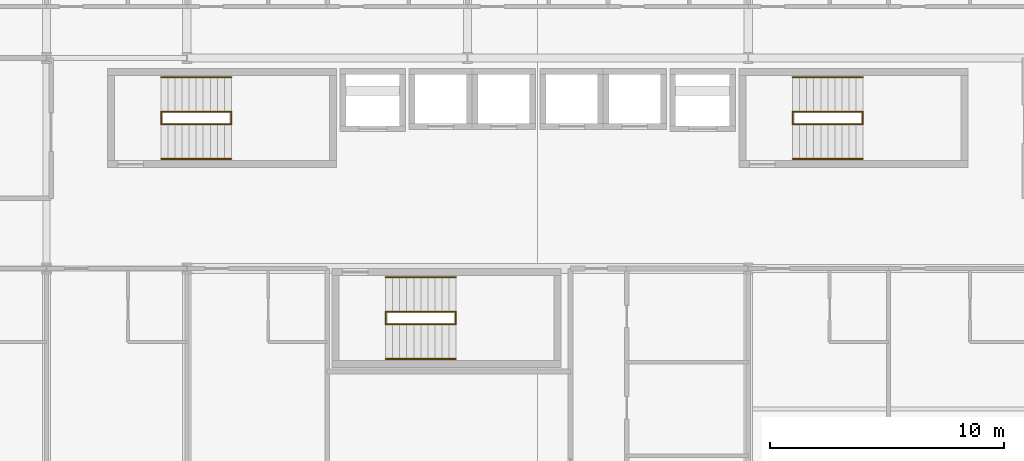
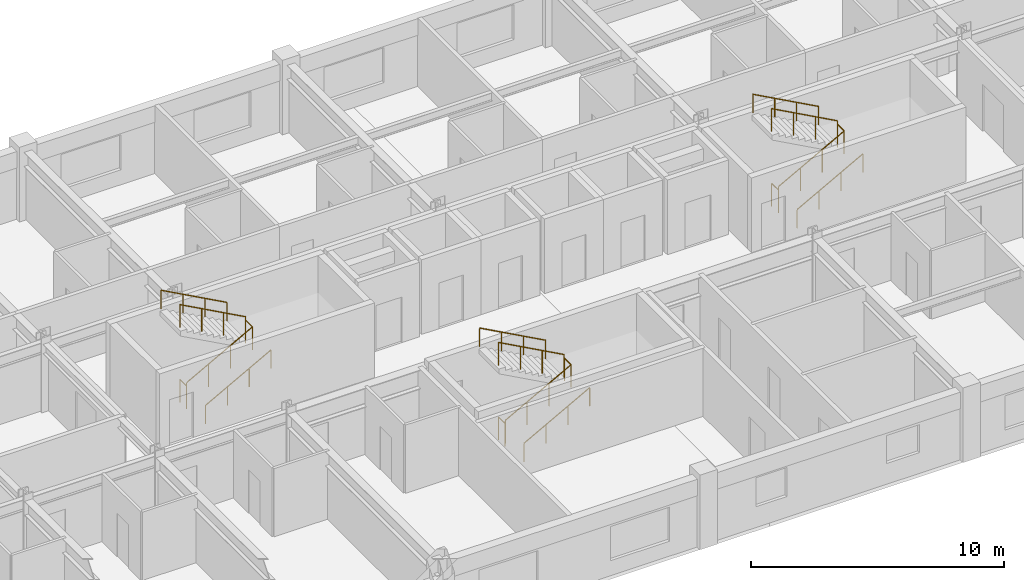
# One storey, part 26 of 26: 18 railings.
"""IFC4 building model written with IfcOpenShell, lengths in metres."""

from ifc_helpers import new_model, si_unit, direction, frame, origin, origin_2d, place, context, subcontext, project, spatial, circle, extrude, material, type_object, element, save


model = new_model("IFC4")

# Units and contexts
model_context = context("Model", 3, precision=1e-05, world=origin(), true_north=direction((0.0, 1.0)))
body_context = subcontext(model_context, "Body", "Model", "MODEL_VIEW")
ifc_project = project(units=[si_unit("LENGTHUNIT", "METRE"), si_unit("AREAUNIT", "SQUARE_METRE"), si_unit("VOLUMEUNIT", "CUBIC_METRE"), si_unit("PLANEANGLEUNIT", "RADIAN"), si_unit("MASSUNIT", "GRAM", prefix="KILO")], contexts=[model_context])

# Site, building, storey
site_placement = place(None, origin())
site = spatial("IfcSite", under=ifc_project, at=site_placement, CompositionType="ELEMENT")
building_placement = place(site_placement, origin())
building = spatial("IfcBuilding", under=site, at=building_placement, Name="Kaldorvane Square Convention Centre", CompositionType="ELEMENT")
storey_placement = place(building_placement, frame((0.0, 0.0, 45.600006103515625)))
storey = spatial("IfcBuildingStorey", under=building, at=storey_placement, Name="L10", CompositionType="ELEMENT", Elevation=45.600006103515625)

# Railings
ifc_material = material(Name="Architectural Painted Steel", Category="steel")
railing_type_1 = type_object("IfcRailingType", Name="RL-GUARD-1120", PredefinedType="BALUSTRADE", material=ifc_material)
for number, where, name in (
    (1, (40.899993896484375, 102.16999816894531, 0.0), "Tower Exit Stair T1 Floor Well Guard (L10)"),
    (2, (43.899993896484375, 102.16999816894531, 1.79998779296875), "Tower Exit Stair T1 Half-Landing Guard (L10)"),
):
    element("IfcRailing", number, at=place(storey_placement, frame(where)), inside=storey, type_object=railing_type_1, Name=name, PredefinedType="BALUSTRADE", context=body_context, shape_type="SweptSolid", body=[
        extrude(circle(Radius=0.0240020751953125, at=origin_2d()), frame((0.0, 0.0, 1.0959930419921875), z_axis=(0.0, 1.0, 0.0), x_axis=(-1.0, 0.0, 0.0)), (0.0, 0.0, 1.0), 0.5200042724609375),
        extrude(circle(Radius=0.02099609375, at=origin_2d()), origin(), (0.0, 0.0, 1.0), 1.071990966796875),
        extrude(circle(Radius=0.02099609375, at=origin_2d()), frame((0.0, 0.5200042724609375, 0.0)), (0.0, 0.0, 1.0), 1.071990966796875),
    ])
railing_1_placement = place(storey_placement, frame((40.899993896484375, 102.16000366210938, 0.16363525390625)))
element("IfcRailing", 3, at=railing_1_placement, inside=storey, type_object=railing_type_1, Name="Tower Exit Stair T1 Flight 1 Guard (L10)", PredefinedType="BALUSTRADE", context=body_context, shape_type="SweptSolid", body=[
    extrude(circle(Radius=0.0240020751953125, at=origin_2d()), frame((0.0, 0.0, 1.0959930419921875), z_axis=(0.877896938072, 0.0, 0.478849627883), x_axis=(0.0, 1.0, 0.0)), (0.0, 0.0, 1.0), 3.4172515869140625),
    extrude(circle(Radius=0.02099609375, at=origin_2d()), origin(), (0.0, 0.0, 1.0), 1.071990966796875),
    extrude(circle(Radius=0.02099609375, at=origin_2d()), frame((1.0, 0.0, 0.5454559326171875)), (0.0, 0.0, 1.0), 1.071990966796875),
    extrude(circle(Radius=0.02099609375, at=origin_2d()), frame((2.0, 0.0, 1.0908966064453125)), (0.0, 0.0, 1.0), 1.071990966796875),
    extrude(circle(Radius=0.02099609375, at=origin_2d()), frame((3.0, 0.0, 1.6363525390625)), (0.0, 0.0, 1.0), 1.071990966796875),
])
railing_2_placement = place(storey_placement, frame((43.899993896484375, 102.69999694824219, 1.963623046875)))
element("IfcRailing", 4, at=railing_2_placement, inside=storey, type_object=railing_type_1, Name="Tower Exit Stair T1 Flight 2 Guard (L10)", PredefinedType="BALUSTRADE", context=body_context, shape_type="SweptSolid", body=[
    extrude(circle(Radius=0.0240020751953125, at=origin_2d()), frame((0.0, 0.0, 1.0959930419921875), z_axis=(-0.87789506098, 0.0, 0.478853069227), x_axis=(0.0, -1.0, 0.0)), (0.0, 0.0, 1.0), 3.417266845703125),
    extrude(circle(Radius=0.02099609375, at=origin_2d()), origin(), (0.0, 0.0, 1.0), 1.071990966796875),
    extrude(circle(Radius=0.02099609375, at=origin_2d()), frame((-1.0, 0.0, 0.5454559326171875)), (0.0, 0.0, 1.0), 1.071990966796875),
    extrude(circle(Radius=0.02099609375, at=origin_2d()), frame((-2.0, 0.0, 1.090911865234375)), (0.0, 0.0, 1.0), 1.071990966796875),
    extrude(circle(Radius=0.02099609375, at=origin_2d()), frame((-3.0, 0.0, 1.6363677978515625)), (0.0, 0.0, 1.0), 1.071990966796875),
])
for number, where, name in (
    (5, (67.89999389648438, 102.16999816894531, 0.0), "Tower Exit Stair T2 Floor Well Guard (L10)"),
    (6, (70.89999389648438, 102.16999816894531, 1.79998779296875), "Tower Exit Stair T2 Half-Landing Guard (L10)"),
):
    element("IfcRailing", number, at=place(storey_placement, frame(where)), inside=storey, type_object=railing_type_1, Name=name, PredefinedType="BALUSTRADE", context=body_context, shape_type="SweptSolid", body=[
        extrude(circle(Radius=0.0240020751953125, at=origin_2d()), frame((0.0, 0.0, 1.0959930419921875), z_axis=(0.0, 1.0, 0.0), x_axis=(-1.0, 0.0, 0.0)), (0.0, 0.0, 1.0), 0.5200042724609375),
        extrude(circle(Radius=0.02099609375, at=origin_2d()), origin(), (0.0, 0.0, 1.0), 1.071990966796875),
        extrude(circle(Radius=0.02099609375, at=origin_2d()), frame((0.0, 0.5200042724609375, 0.0)), (0.0, 0.0, 1.0), 1.071990966796875),
    ])
railing_3_placement = place(storey_placement, frame((67.89999389648438, 102.16000366210938, 0.16363525390625)))
element("IfcRailing", 7, at=railing_3_placement, inside=storey, type_object=railing_type_1, Name="Tower Exit Stair T2 Flight 1 Guard (L10)", PredefinedType="BALUSTRADE", context=body_context, shape_type="SweptSolid", body=[
    extrude(circle(Radius=0.0240020751953125, at=origin_2d()), frame((0.0, 0.0, 1.0959930419921875), z_axis=(0.877896938072, 0.0, 0.478849627883), x_axis=(0.0, 1.0, 0.0)), (0.0, 0.0, 1.0), 3.4172515869140625),
    extrude(circle(Radius=0.02099609375, at=origin_2d()), origin(), (0.0, 0.0, 1.0), 1.071990966796875),
    extrude(circle(Radius=0.02099609375, at=origin_2d()), frame((1.0, 0.0, 0.5454559326171875)), (0.0, 0.0, 1.0), 1.071990966796875),
    extrude(circle(Radius=0.02099609375, at=origin_2d()), frame((2.0, 0.0, 1.0908966064453125)), (0.0, 0.0, 1.0), 1.071990966796875),
    extrude(circle(Radius=0.02099609375, at=origin_2d()), frame((3.0, 0.0, 1.6363525390625)), (0.0, 0.0, 1.0), 1.071990966796875),
])
railing_4_placement = place(storey_placement, frame((70.89999389648438, 102.69999694824219, 1.963623046875)))
element("IfcRailing", 8, at=railing_4_placement, inside=storey, type_object=railing_type_1, Name="Tower Exit Stair T2 Flight 2 Guard (L10)", PredefinedType="BALUSTRADE", context=body_context, shape_type="SweptSolid", body=[
    extrude(circle(Radius=0.0240020751953125, at=origin_2d()), frame((0.0, 0.0, 1.0959930419921875), z_axis=(-0.87789506098, 0.0, 0.478853069227), x_axis=(0.0, -1.0, 0.0)), (0.0, 0.0, 1.0), 3.417266845703125),
    extrude(circle(Radius=0.02099609375, at=origin_2d()), origin(), (0.0, 0.0, 1.0), 1.071990966796875),
    extrude(circle(Radius=0.02099609375, at=origin_2d()), frame((-1.0, 0.0, 0.5454559326171875)), (0.0, 0.0, 1.0), 1.071990966796875),
    extrude(circle(Radius=0.02099609375, at=origin_2d()), frame((-2.0, 0.0, 1.090911865234375)), (0.0, 0.0, 1.0), 1.071990966796875),
    extrude(circle(Radius=0.02099609375, at=origin_2d()), frame((-3.0, 0.0, 1.6363677978515625)), (0.0, 0.0, 1.0), 1.071990966796875),
])
for number, where, name in (
    (9, (50.5, 93.6199951171875, 0.0), "Tower Exit Stair T3 Floor Well Guard (L10)"),
    (10, (53.5, 93.6199951171875, 1.79998779296875), "Tower Exit Stair T3 Half-Landing Guard (L10)"),
):
    element("IfcRailing", number, at=place(storey_placement, frame(where)), inside=storey, type_object=railing_type_1, Name=name, PredefinedType="BALUSTRADE", context=body_context, shape_type="SweptSolid", body=[
        extrude(circle(Radius=0.0240020751953125, at=origin_2d()), frame((0.0, 0.0, 1.0959930419921875), z_axis=(0.0, 1.0, 0.0), x_axis=(-1.0, 0.0, 0.0)), (0.0, 0.0, 1.0), 0.5200042724609375),
        extrude(circle(Radius=0.02099609375, at=origin_2d()), origin(), (0.0, 0.0, 1.0), 1.071990966796875),
        extrude(circle(Radius=0.02099609375, at=origin_2d()), frame((0.0, 0.5200042724609375, 0.0)), (0.0, 0.0, 1.0), 1.071990966796875),
    ])
railing_5_placement = place(storey_placement, frame((50.5, 93.61000061035156, 0.16363525390625)))
element("IfcRailing", 11, at=railing_5_placement, inside=storey, type_object=railing_type_1, Name="Tower Exit Stair T3 Flight 1 Guard (L10)", PredefinedType="BALUSTRADE", context=body_context, shape_type="SweptSolid", body=[
    extrude(circle(Radius=0.0240020751953125, at=origin_2d()), frame((0.0, 0.0, 1.0959930419921875), z_axis=(0.877896938072, 0.0, 0.478849627883), x_axis=(0.0, 1.0, 0.0)), (0.0, 0.0, 1.0), 3.4172515869140625),
    extrude(circle(Radius=0.02099609375, at=origin_2d()), origin(), (0.0, 0.0, 1.0), 1.071990966796875),
    extrude(circle(Radius=0.02099609375, at=origin_2d()), frame((1.0, 0.0, 0.5454559326171875)), (0.0, 0.0, 1.0), 1.071990966796875),
    extrude(circle(Radius=0.02099609375, at=origin_2d()), frame((2.0, 0.0, 1.0908966064453125)), (0.0, 0.0, 1.0), 1.071990966796875),
    extrude(circle(Radius=0.02099609375, at=origin_2d()), frame((3.0, 0.0, 1.6363525390625)), (0.0, 0.0, 1.0), 1.071990966796875),
])
railing_6_placement = place(storey_placement, frame((53.5, 94.14999389648438, 1.963623046875)))
element("IfcRailing", 12, at=railing_6_placement, inside=storey, type_object=railing_type_1, Name="Tower Exit Stair T3 Flight 2 Guard (L10)", PredefinedType="BALUSTRADE", context=body_context, shape_type="SweptSolid", body=[
    extrude(circle(Radius=0.0240020751953125, at=origin_2d()), frame((0.0, 0.0, 1.0959930419921875), z_axis=(-0.87789506098, 0.0, 0.478853069227), x_axis=(0.0, -1.0, 0.0)), (0.0, 0.0, 1.0), 3.417266845703125),
    extrude(circle(Radius=0.02099609375, at=origin_2d()), origin(), (0.0, 0.0, 1.0), 1.071990966796875),
    extrude(circle(Radius=0.02099609375, at=origin_2d()), frame((-1.0, 0.0, 0.5454559326171875)), (0.0, 0.0, 1.0), 1.071990966796875),
    extrude(circle(Radius=0.02099609375, at=origin_2d()), frame((-2.0, 0.0, 1.090911865234375)), (0.0, 0.0, 1.0), 1.071990966796875),
    extrude(circle(Radius=0.02099609375, at=origin_2d()), frame((-3.0, 0.0, 1.6363677978515625)), (0.0, 0.0, 1.0), 1.071990966796875),
])
railing_type_2 = type_object("IfcRailingType", Name="RL-HAND-915", PredefinedType="HANDRAIL", material=ifc_material)
railing_7_placement = place(storey_placement, frame((40.899993896484375, 100.67999267578125, 0.16363525390625)))
element("IfcRailing", 13, at=railing_7_placement, inside=storey, type_object=railing_type_2, Name="Tower Exit Stair T1 Wall Handrail 1 (L10)", PredefinedType="HANDRAIL", context=body_context, shape_type="SweptSolid", body=[
    extrude(circle(Radius=0.0240020751953125, at=origin_2d()), frame((0.0, 0.0, 0.8909912109375), z_axis=(0.877896938072, 0.0, 0.478849627883), x_axis=(0.0, 1.0, 0.0)), (0.0, 0.0, 1.0), 3.4172515869140625),
    extrude(circle(Radius=0.02099609375, at=origin_2d()), origin(), (0.0, 0.0, 1.0), 0.8669891357421875),
    extrude(circle(Radius=0.02099609375, at=origin_2d()), frame((1.0, 0.0, 0.5454559326171875)), (0.0, 0.0, 1.0), 0.8669891357421875),
    extrude(circle(Radius=0.02099609375, at=origin_2d()), frame((2.0, 0.0, 1.0908966064453125)), (0.0, 0.0, 1.0), 0.8669891357421875),
    extrude(circle(Radius=0.02099609375, at=origin_2d()), frame((3.0, 0.0, 1.6363525390625)), (0.0, 0.0, 1.0), 0.8669891357421875),
])
railing_8_placement = place(storey_placement, frame((43.899993896484375, 104.17999267578125, 1.963623046875)))
element("IfcRailing", 14, at=railing_8_placement, inside=storey, type_object=railing_type_2, Name="Tower Exit Stair T1 Wall Handrail 2 (L10)", PredefinedType="HANDRAIL", context=body_context, shape_type="SweptSolid", body=[
    extrude(circle(Radius=0.0240020751953125, at=origin_2d()), frame((0.0, 0.0, 0.8909912109375), z_axis=(-0.87789506098, 0.0, 0.478853069227), x_axis=(0.0, -1.0, 0.0)), (0.0, 0.0, 1.0), 3.417266845703125),
    extrude(circle(Radius=0.02099609375, at=origin_2d()), origin(), (0.0, 0.0, 1.0), 0.8669891357421875),
    extrude(circle(Radius=0.02099609375, at=origin_2d()), frame((-1.0, 0.0, 0.5454559326171875)), (0.0, 0.0, 1.0), 0.8669891357421875),
    extrude(circle(Radius=0.02099609375, at=origin_2d()), frame((-2.0, 0.0, 1.090911865234375)), (0.0, 0.0, 1.0), 0.8669891357421875),
    extrude(circle(Radius=0.02099609375, at=origin_2d()), frame((-3.0, 0.0, 1.6363677978515625)), (0.0, 0.0, 1.0), 0.8669891357421875),
])
railing_9_placement = place(storey_placement, frame((67.89999389648438, 100.67999267578125, 0.16363525390625)))
element("IfcRailing", 15, at=railing_9_placement, inside=storey, type_object=railing_type_2, Name="Tower Exit Stair T2 Wall Handrail 1 (L10)", PredefinedType="HANDRAIL", context=body_context, shape_type="SweptSolid", body=[
    extrude(circle(Radius=0.0240020751953125, at=origin_2d()), frame((0.0, 0.0, 0.8909912109375), z_axis=(0.877896938072, 0.0, 0.478849627883), x_axis=(0.0, 1.0, 0.0)), (0.0, 0.0, 1.0), 3.4172515869140625),
    extrude(circle(Radius=0.02099609375, at=origin_2d()), origin(), (0.0, 0.0, 1.0), 0.8669891357421875),
    extrude(circle(Radius=0.02099609375, at=origin_2d()), frame((1.0, 0.0, 0.5454559326171875)), (0.0, 0.0, 1.0), 0.8669891357421875),
    extrude(circle(Radius=0.02099609375, at=origin_2d()), frame((2.0, 0.0, 1.0908966064453125)), (0.0, 0.0, 1.0), 0.8669891357421875),
    extrude(circle(Radius=0.02099609375, at=origin_2d()), frame((3.0, 0.0, 1.6363525390625)), (0.0, 0.0, 1.0), 0.8669891357421875),
])
railing_10_placement = place(storey_placement, frame((70.89999389648438, 104.17999267578125, 1.963623046875)))
element("IfcRailing", 16, at=railing_10_placement, inside=storey, type_object=railing_type_2, Name="Tower Exit Stair T2 Wall Handrail 2 (L10)", PredefinedType="HANDRAIL", context=body_context, shape_type="SweptSolid", body=[
    extrude(circle(Radius=0.0240020751953125, at=origin_2d()), frame((0.0, 0.0, 0.8909912109375), z_axis=(-0.87789506098, 0.0, 0.478853069227), x_axis=(0.0, -1.0, 0.0)), (0.0, 0.0, 1.0), 3.417266845703125),
    extrude(circle(Radius=0.02099609375, at=origin_2d()), origin(), (0.0, 0.0, 1.0), 0.8669891357421875),
    extrude(circle(Radius=0.02099609375, at=origin_2d()), frame((-1.0, 0.0, 0.5454559326171875)), (0.0, 0.0, 1.0), 0.8669891357421875),
    extrude(circle(Radius=0.02099609375, at=origin_2d()), frame((-2.0, 0.0, 1.090911865234375)), (0.0, 0.0, 1.0), 0.8669891357421875),
    extrude(circle(Radius=0.02099609375, at=origin_2d()), frame((-3.0, 0.0, 1.6363677978515625)), (0.0, 0.0, 1.0), 0.8669891357421875),
])
railing_11_placement = place(storey_placement, frame((50.5, 92.1300048828125, 0.16363525390625)))
element("IfcRailing", 17, at=railing_11_placement, inside=storey, type_object=railing_type_2, Name="Tower Exit Stair T3 Wall Handrail 1 (L10)", PredefinedType="HANDRAIL", context=body_context, shape_type="SweptSolid", body=[
    extrude(circle(Radius=0.0240020751953125, at=origin_2d()), frame((0.0, 0.0, 0.8909912109375), z_axis=(0.877896938072, 0.0, 0.478849627883), x_axis=(0.0, 1.0, 0.0)), (0.0, 0.0, 1.0), 3.4172515869140625),
    extrude(circle(Radius=0.02099609375, at=origin_2d()), origin(), (0.0, 0.0, 1.0), 0.8669891357421875),
    extrude(circle(Radius=0.02099609375, at=origin_2d()), frame((1.0, 0.0, 0.5454559326171875)), (0.0, 0.0, 1.0), 0.8669891357421875),
    extrude(circle(Radius=0.02099609375, at=origin_2d()), frame((2.0, 0.0, 1.0908966064453125)), (0.0, 0.0, 1.0), 0.8669891357421875),
    extrude(circle(Radius=0.02099609375, at=origin_2d()), frame((3.0, 0.0, 1.6363525390625)), (0.0, 0.0, 1.0), 0.8669891357421875),
])
railing_12_placement = place(storey_placement, frame((53.5, 95.6300048828125, 1.963623046875)))
element("IfcRailing", 18, at=railing_12_placement, inside=storey, type_object=railing_type_2, Name="Tower Exit Stair T3 Wall Handrail 2 (L10)", PredefinedType="HANDRAIL", context=body_context, shape_type="SweptSolid", body=[
    extrude(circle(Radius=0.0240020751953125, at=origin_2d()), frame((0.0, 0.0, 0.8909912109375), z_axis=(-0.87789506098, 0.0, 0.478853069227), x_axis=(0.0, -1.0, 0.0)), (0.0, 0.0, 1.0), 3.417266845703125),
    extrude(circle(Radius=0.02099609375, at=origin_2d()), origin(), (0.0, 0.0, 1.0), 0.8669891357421875),
    extrude(circle(Radius=0.02099609375, at=origin_2d()), frame((-1.0, 0.0, 0.5454559326171875)), (0.0, 0.0, 1.0), 0.8669891357421875),
    extrude(circle(Radius=0.02099609375, at=origin_2d()), frame((-2.0, 0.0, 1.090911865234375)), (0.0, 0.0, 1.0), 0.8669891357421875),
    extrude(circle(Radius=0.02099609375, at=origin_2d()), frame((-3.0, 0.0, 1.6363677978515625)), (0.0, 0.0, 1.0), 0.8669891357421875),
])

save(model, "model.ifc")
